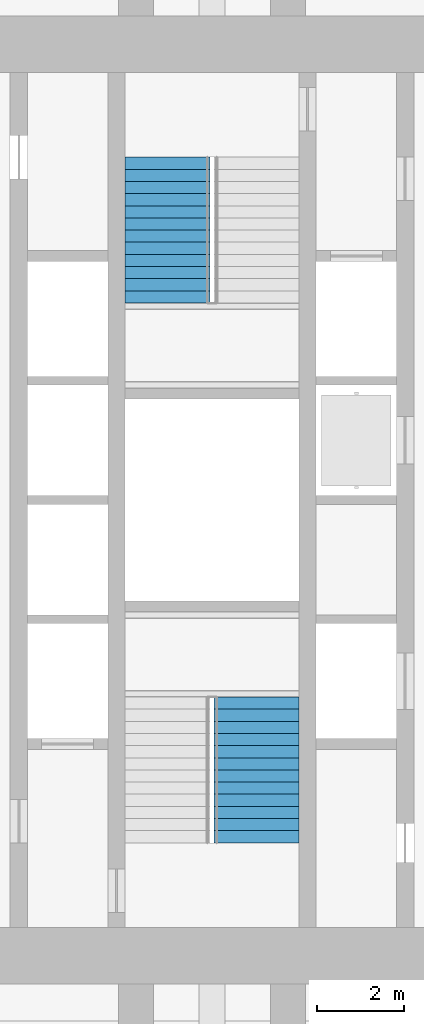
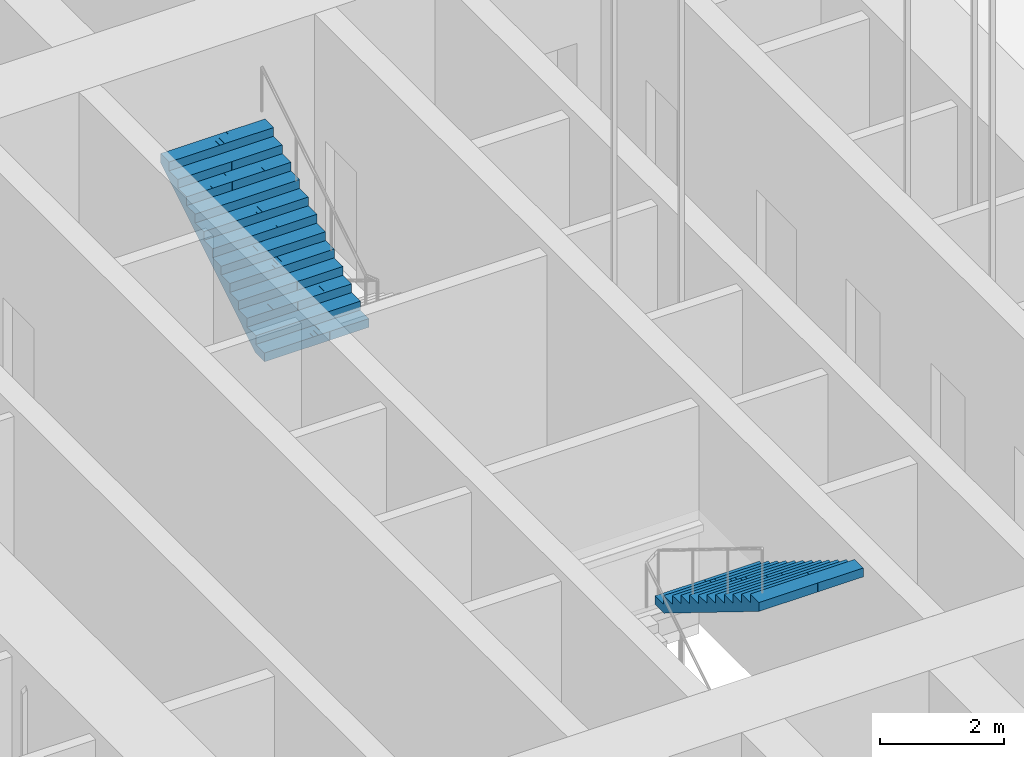
# One storey, part 17 of 34: 2 stair flights, 2 elements without a shape of their own.
"""IFC4 building model written with IfcOpenShell, lengths in metres."""

from ifc_helpers import new_model, si_unit, direction, frame, origin, place, context, subcontext, project, spatial, polyline, outline, extrude, material, type_object, element, aggregate, save


model = new_model("IFC4")

# Units and contexts
model_context = context("Model", 3, precision=1e-05, world=origin(), true_north=direction((0.0, 1.0)))
body_context = subcontext(model_context, "Body", "Model", "MODEL_VIEW")
ifc_project = project(units=[si_unit("LENGTHUNIT", "METRE"), si_unit("AREAUNIT", "SQUARE_METRE"), si_unit("VOLUMEUNIT", "CUBIC_METRE"), si_unit("PLANEANGLEUNIT", "RADIAN"), si_unit("MASSUNIT", "GRAM", prefix="KILO")], contexts=[model_context])

# Site, building, storey
site_placement = place(None, origin())
site = spatial("IfcSite", under=ifc_project, at=site_placement, CompositionType="ELEMENT")
building_placement = place(site_placement, origin())
building = spatial("IfcBuilding", under=site, at=building_placement, Name="Mizan Broadcast Tower", CompositionType="ELEMENT")
storey_placement = place(building_placement, frame((0.0, 0.0, 194.39990234375)))
storey = spatial("IfcBuildingStorey", under=building, at=storey_placement, Name="L45", CompositionType="ELEMENT", Elevation=194.39990234375)

# Stair, stair flight
ifc_material_1 = material(Name="Concrete C40/50", Category="concrete")
stair_type = type_object("IfcStairType", Name="EXIT STAIR", PredefinedType="HALF_TURN_STAIR", material=ifc_material_1)
stair_1_placement = place(storey_placement, origin())
stair_1 = element("IfcStair", 1, at=stair_1_placement, inside=storey, type_object=stair_type, Name="Stair A L45", PredefinedType="HALF_TURN_STAIR")
ifc_material_2 = material(Name="Concrete C40/50", Category="concrete")
stair_flight_type = type_object("IfcStairFlightType", Name="EXIT STAIR FLIGHT", PredefinedType="STRAIGHT", material=ifc_material_2)
stair_flight_1_placement = place(storey_placement, frame((1.02490234375, -4.5400390625, 2.25), z_axis=(0.0, 0.0, 1.0), x_axis=(0.0, -1.0, 0.0)))
stair_flight_1 = element("IfcStairFlight", 2, at=stair_flight_1_placement, type_object=stair_flight_type, Name="A flight 2", NumberOfRisers=13, NumberOfTreads=12, PredefinedType="STRAIGHT", RiserHeight=0.173076923, TreadLength=0.28, context=body_context, shape_type="SweptSolid", body=[
    extrude(outline(polyline([(0.0, 0.0), (0.0, 0.173095703125), (0.280029296875, 0.173095703125), (0.280029296875, 0.34619140625), (0.56005859375, 0.34619140625), (0.56005859375, 0.519287109375), (0.840087890625, 0.519287109375), (0.840087890625, 0.6923828125), (1.1201171875, 0.6923828125), (1.1201171875, 0.865478515625), (1.39990234375, 0.865478515625), (1.39990234375, 1.03857421875), (1.679931640625, 1.03857421875), (1.679931640625, 1.21142578125), (1.9599609375, 1.21142578125), (1.9599609375, 1.384521484375), (2.239990234375, 1.384521484375), (2.239990234375, 1.5576171875), (2.52001953125, 1.5576171875), (2.52001953125, 1.730712890625), (2.800048828125, 1.730712890625), (2.800048828125, 1.90380859375), (3.080078125, 1.90380859375), (3.080078125, 2.076904296875), (3.360107421875, 2.076904296875), (3.360107421875, 2.25), (3.360107421875, 1.900634765625), (0.28515625, 0.0), (0.0, 0.0)])), frame((0.0, 0.97509765625, 0.0), z_axis=(0.0, -1.0, 0.0), x_axis=(1.0, 0.0, 0.0)), (0.0, 0.0, 1.0), 0.4873046875),
    extrude(outline(polyline([(0.0, 0.0), (0.0, 0.173095703125), (0.280029296875, 0.173095703125), (0.280029296875, 0.34619140625), (0.56005859375, 0.34619140625), (0.56005859375, 0.519287109375), (0.840087890625, 0.519287109375), (0.840087890625, 0.6923828125), (1.1201171875, 0.6923828125), (1.1201171875, 0.865478515625), (1.39990234375, 0.865478515625), (1.39990234375, 1.03857421875), (1.679931640625, 1.03857421875), (1.679931640625, 1.21142578125), (1.9599609375, 1.21142578125), (1.9599609375, 1.384521484375), (2.239990234375, 1.384521484375), (2.239990234375, 1.5576171875), (2.52001953125, 1.5576171875), (2.52001953125, 1.730712890625), (2.800048828125, 1.730712890625), (2.800048828125, 1.90380859375), (3.080078125, 1.90380859375), (3.080078125, 2.076904296875), (3.360107421875, 2.076904296875), (3.360107421875, 2.25), (3.360107421875, 1.900634765625), (0.28515625, 0.0), (0.0, 0.0)])), frame((0.0, 0.4873046875, 0.0), z_axis=(0.0, -1.0, 0.0), x_axis=(1.0, 0.0, 0.0)), (0.0, 0.0, 1.0), 0.2431640625),
    extrude(outline(polyline([(0.0, 0.0), (0.0, 0.173095703125), (0.280029296875, 0.173095703125), (0.280029296875, 0.34619140625), (0.56005859375, 0.34619140625), (0.56005859375, 0.519287109375), (0.840087890625, 0.519287109375), (0.840087890625, 0.6923828125), (1.1201171875, 0.6923828125), (1.1201171875, 0.865478515625), (1.39990234375, 0.865478515625), (1.39990234375, 1.03857421875), (1.679931640625, 1.03857421875), (1.679931640625, 1.21142578125), (1.9599609375, 1.21142578125), (1.9599609375, 1.384521484375), (2.239990234375, 1.384521484375), (2.239990234375, 1.5576171875), (2.52001953125, 1.5576171875), (2.52001953125, 1.730712890625), (2.800048828125, 1.730712890625), (2.800048828125, 1.90380859375), (3.080078125, 1.90380859375), (3.080078125, 2.076904296875), (3.360107421875, 2.076904296875), (3.360107421875, 2.25), (3.360107421875, 1.900634765625), (0.28515625, 0.0), (0.0, 0.0)])), frame((0.0, 0.24365234375, 0.0), z_axis=(0.0, -1.0, 0.0), x_axis=(1.0, 0.0, 0.0)), (0.0, 0.0, 1.0), 0.121337890625),
    extrude(outline(polyline([(0.0, 0.0), (0.0, 0.173095703125), (0.280029296875, 0.173095703125), (0.280029296875, 0.34619140625), (0.56005859375, 0.34619140625), (0.56005859375, 0.519287109375), (0.840087890625, 0.519287109375), (0.840087890625, 0.6923828125), (1.1201171875, 0.6923828125), (1.1201171875, 0.865478515625), (1.39990234375, 0.865478515625), (1.39990234375, 1.03857421875), (1.679931640625, 1.03857421875), (1.679931640625, 1.21142578125), (1.9599609375, 1.21142578125), (1.9599609375, 1.384521484375), (2.239990234375, 1.384521484375), (2.239990234375, 1.5576171875), (2.52001953125, 1.5576171875), (2.52001953125, 1.730712890625), (2.800048828125, 1.730712890625), (2.800048828125, 1.90380859375), (3.080078125, 1.90380859375), (3.080078125, 2.076904296875), (3.360107421875, 2.076904296875), (3.360107421875, 2.25), (3.360107421875, 1.900634765625), (0.28515625, 0.0), (0.0, 0.0)])), frame((0.0, 0.121826171875, 0.0), z_axis=(0.0, -1.0, 0.0), x_axis=(1.0, 0.0, 0.0)), (0.0, 0.0, 1.0), 0.060546875),
    extrude(outline(polyline([(0.0, 0.0), (0.0, 0.173095703125), (0.280029296875, 0.173095703125), (0.280029296875, 0.34619140625), (0.56005859375, 0.34619140625), (0.56005859375, 0.519287109375), (0.840087890625, 0.519287109375), (0.840087890625, 0.6923828125), (1.1201171875, 0.6923828125), (1.1201171875, 0.865478515625), (1.39990234375, 0.865478515625), (1.39990234375, 1.03857421875), (1.679931640625, 1.03857421875), (1.679931640625, 1.21142578125), (1.9599609375, 1.21142578125), (1.9599609375, 1.384521484375), (2.239990234375, 1.384521484375), (2.239990234375, 1.5576171875), (2.52001953125, 1.5576171875), (2.52001953125, 1.730712890625), (2.800048828125, 1.730712890625), (2.800048828125, 1.90380859375), (3.080078125, 1.90380859375), (3.080078125, 2.076904296875), (3.360107421875, 2.076904296875), (3.360107421875, 2.25), (3.360107421875, 1.900634765625), (0.28515625, 0.0), (0.0, 0.0)])), frame((0.0, 0.060791015625, 0.0), z_axis=(0.0, -1.0, 0.0), x_axis=(1.0, 0.0, 0.0)), (0.0, 0.0, 1.0), 0.030029296875),
    extrude(outline(polyline([(0.0, 0.0), (0.0, 0.173095703125), (0.280029296875, 0.173095703125), (0.280029296875, 0.34619140625), (0.56005859375, 0.34619140625), (0.56005859375, 0.519287109375), (0.840087890625, 0.519287109375), (0.840087890625, 0.6923828125), (1.1201171875, 0.6923828125), (1.1201171875, 0.865478515625), (1.39990234375, 0.865478515625), (1.39990234375, 1.03857421875), (1.679931640625, 1.03857421875), (1.679931640625, 1.21142578125), (1.9599609375, 1.21142578125), (1.9599609375, 1.384521484375), (2.239990234375, 1.384521484375), (2.239990234375, 1.5576171875), (2.52001953125, 1.5576171875), (2.52001953125, 1.730712890625), (2.800048828125, 1.730712890625), (2.800048828125, 1.90380859375), (3.080078125, 1.90380859375), (3.080078125, 2.076904296875), (3.360107421875, 2.076904296875), (3.360107421875, 2.25), (3.360107421875, 1.900634765625), (0.28515625, 0.0), (0.0, 0.0)])), frame((0.0, 0.0302734375, 0.0), z_axis=(0.0, -1.0, 0.0), x_axis=(1.0, 0.0, 0.0)), (0.0, 0.0, 1.0), 0.060302734375),
    extrude(outline(polyline([(0.0, 0.0), (0.0, 0.173095703125), (0.280029296875, 0.173095703125), (0.280029296875, 0.34619140625), (0.56005859375, 0.34619140625), (0.56005859375, 0.519287109375), (0.840087890625, 0.519287109375), (0.840087890625, 0.6923828125), (1.1201171875, 0.6923828125), (1.1201171875, 0.865478515625), (1.39990234375, 0.865478515625), (1.39990234375, 1.03857421875), (1.679931640625, 1.03857421875), (1.679931640625, 1.21142578125), (1.9599609375, 1.21142578125), (1.9599609375, 1.384521484375), (2.239990234375, 1.384521484375), (2.239990234375, 1.5576171875), (2.52001953125, 1.5576171875), (2.52001953125, 1.730712890625), (2.800048828125, 1.730712890625), (2.800048828125, 1.90380859375), (3.080078125, 1.90380859375), (3.080078125, 2.076904296875), (3.360107421875, 2.076904296875), (3.360107421875, 2.25), (3.360107421875, 1.900634765625), (0.28515625, 0.0), (0.0, 0.0)])), frame((0.0, -0.030517578125, 0.0), z_axis=(0.0, -1.0, 0.0), x_axis=(1.0, 0.0, 0.0)), (0.0, 0.0, 1.0), 0.030029296875),
    extrude(outline(polyline([(0.0, 0.0), (0.0, 0.173095703125), (0.280029296875, 0.173095703125), (0.280029296875, 0.34619140625), (0.56005859375, 0.34619140625), (0.56005859375, 0.519287109375), (0.840087890625, 0.519287109375), (0.840087890625, 0.6923828125), (1.1201171875, 0.6923828125), (1.1201171875, 0.865478515625), (1.39990234375, 0.865478515625), (1.39990234375, 1.03857421875), (1.679931640625, 1.03857421875), (1.679931640625, 1.21142578125), (1.9599609375, 1.21142578125), (1.9599609375, 1.384521484375), (2.239990234375, 1.384521484375), (2.239990234375, 1.5576171875), (2.52001953125, 1.5576171875), (2.52001953125, 1.730712890625), (2.800048828125, 1.730712890625), (2.800048828125, 1.90380859375), (3.080078125, 1.90380859375), (3.080078125, 2.076904296875), (3.360107421875, 2.076904296875), (3.360107421875, 2.25), (3.360107421875, 1.900634765625), (0.28515625, 0.0), (0.0, 0.0)])), frame((0.0, -0.06103515625, 0.0), z_axis=(0.0, -1.0, 0.0), x_axis=(1.0, 0.0, 0.0)), (0.0, 0.0, 1.0), 0.060546875),
    extrude(outline(polyline([(0.0, 0.0), (0.0, 0.173095703125), (0.280029296875, 0.173095703125), (0.280029296875, 0.34619140625), (0.56005859375, 0.34619140625), (0.56005859375, 0.519287109375), (0.840087890625, 0.519287109375), (0.840087890625, 0.6923828125), (1.1201171875, 0.6923828125), (1.1201171875, 0.865478515625), (1.39990234375, 0.865478515625), (1.39990234375, 1.03857421875), (1.679931640625, 1.03857421875), (1.679931640625, 1.21142578125), (1.9599609375, 1.21142578125), (1.9599609375, 1.384521484375), (2.239990234375, 1.384521484375), (2.239990234375, 1.5576171875), (2.52001953125, 1.5576171875), (2.52001953125, 1.730712890625), (2.800048828125, 1.730712890625), (2.800048828125, 1.90380859375), (3.080078125, 1.90380859375), (3.080078125, 2.076904296875), (3.360107421875, 2.076904296875), (3.360107421875, 2.25), (3.360107421875, 1.900634765625), (0.28515625, 0.0), (0.0, 0.0)])), frame((0.0, -0.1220703125, 0.0), z_axis=(0.0, -1.0, 0.0), x_axis=(1.0, 0.0, 0.0)), (0.0, 0.0, 1.0), 0.121337890625),
    extrude(outline(polyline([(0.0, 0.0), (0.0, 0.173095703125), (0.280029296875, 0.173095703125), (0.280029296875, 0.34619140625), (0.56005859375, 0.34619140625), (0.56005859375, 0.519287109375), (0.840087890625, 0.519287109375), (0.840087890625, 0.6923828125), (1.1201171875, 0.6923828125), (1.1201171875, 0.865478515625), (1.39990234375, 0.865478515625), (1.39990234375, 1.03857421875), (1.679931640625, 1.03857421875), (1.679931640625, 1.21142578125), (1.9599609375, 1.21142578125), (1.9599609375, 1.384521484375), (2.239990234375, 1.384521484375), (2.239990234375, 1.5576171875), (2.52001953125, 1.5576171875), (2.52001953125, 1.730712890625), (2.800048828125, 1.730712890625), (2.800048828125, 1.90380859375), (3.080078125, 1.90380859375), (3.080078125, 2.076904296875), (3.360107421875, 2.076904296875), (3.360107421875, 2.25), (3.360107421875, 1.900634765625), (0.28515625, 0.0), (0.0, 0.0)])), frame((0.0, -0.243896484375, 0.0), z_axis=(0.0, -1.0, 0.0), x_axis=(1.0, 0.0, 0.0)), (0.0, 0.0, 1.0), 0.2431640625),
    extrude(outline(polyline([(0.0, 0.0), (0.0, 0.173095703125), (0.280029296875, 0.173095703125), (0.280029296875, 0.34619140625), (0.56005859375, 0.34619140625), (0.56005859375, 0.519287109375), (0.840087890625, 0.519287109375), (0.840087890625, 0.6923828125), (1.1201171875, 0.6923828125), (1.1201171875, 0.865478515625), (1.39990234375, 0.865478515625), (1.39990234375, 1.03857421875), (1.679931640625, 1.03857421875), (1.679931640625, 1.21142578125), (1.9599609375, 1.21142578125), (1.9599609375, 1.384521484375), (2.239990234375, 1.384521484375), (2.239990234375, 1.5576171875), (2.52001953125, 1.5576171875), (2.52001953125, 1.730712890625), (2.800048828125, 1.730712890625), (2.800048828125, 1.90380859375), (3.080078125, 1.90380859375), (3.080078125, 2.076904296875), (3.360107421875, 2.076904296875), (3.360107421875, 2.25), (3.360107421875, 1.900634765625), (0.28515625, 0.0), (0.0, 0.0)])), frame((0.0, -0.487548828125, 0.0), z_axis=(0.0, -1.0, 0.0), x_axis=(1.0, 0.0, 0.0)), (0.0, 0.0, 1.0), 0.4873046875),
])
aggregate(stair_1, [stair_flight_1])

stair_2_placement = place(storey_placement, origin())
stair_2 = element("IfcStair", 3, at=stair_2_placement, inside=storey, type_object=stair_type, Name="Stair B L45", PredefinedType="HALF_TURN_STAIR")
stair_flight_2_placement = place(storey_placement, frame((-1.02490234375, 4.5400390625, 2.25), z_axis=(0.0, 0.0, 1.0), x_axis=(0.0, 1.0, 0.0)))
stair_flight_2 = element("IfcStairFlight", 4, at=stair_flight_2_placement, type_object=stair_flight_type, Name="B flight 2", NumberOfRisers=13, NumberOfTreads=12, PredefinedType="STRAIGHT", RiserHeight=0.173076923, TreadLength=0.28, context=body_context, shape_type="SweptSolid", body=[
    extrude(outline(polyline([(0.0, 0.0), (0.0, 0.173095703125), (0.280029296875, 0.173095703125), (0.280029296875, 0.34619140625), (0.56005859375, 0.34619140625), (0.56005859375, 0.519287109375), (0.840087890625, 0.519287109375), (0.840087890625, 0.6923828125), (1.1201171875, 0.6923828125), (1.1201171875, 0.865478515625), (1.39990234375, 0.865478515625), (1.39990234375, 1.03857421875), (1.679931640625, 1.03857421875), (1.679931640625, 1.21142578125), (1.9599609375, 1.21142578125), (1.9599609375, 1.384521484375), (2.239990234375, 1.384521484375), (2.239990234375, 1.5576171875), (2.52001953125, 1.5576171875), (2.52001953125, 1.730712890625), (2.800048828125, 1.730712890625), (2.800048828125, 1.90380859375), (3.080078125, 1.90380859375), (3.080078125, 2.076904296875), (3.360107421875, 2.076904296875), (3.360107421875, 2.25), (3.360107421875, 1.900634765625), (0.28515625, 0.0), (0.0, 0.0)])), frame((0.0, 0.97509765625, 0.0), z_axis=(0.0, -1.0, 0.0), x_axis=(1.0, 0.0, 0.0)), (0.0, 0.0, 1.0), 0.4873046875),
    extrude(outline(polyline([(0.0, 0.0), (0.0, 0.173095703125), (0.280029296875, 0.173095703125), (0.280029296875, 0.34619140625), (0.56005859375, 0.34619140625), (0.56005859375, 0.519287109375), (0.840087890625, 0.519287109375), (0.840087890625, 0.6923828125), (1.1201171875, 0.6923828125), (1.1201171875, 0.865478515625), (1.39990234375, 0.865478515625), (1.39990234375, 1.03857421875), (1.679931640625, 1.03857421875), (1.679931640625, 1.21142578125), (1.9599609375, 1.21142578125), (1.9599609375, 1.384521484375), (2.239990234375, 1.384521484375), (2.239990234375, 1.5576171875), (2.52001953125, 1.5576171875), (2.52001953125, 1.730712890625), (2.800048828125, 1.730712890625), (2.800048828125, 1.90380859375), (3.080078125, 1.90380859375), (3.080078125, 2.076904296875), (3.360107421875, 2.076904296875), (3.360107421875, 2.25), (3.360107421875, 1.900634765625), (0.28515625, 0.0), (0.0, 0.0)])), frame((0.0, 0.4873046875, 0.0), z_axis=(0.0, -1.0, 0.0), x_axis=(1.0, 0.0, 0.0)), (0.0, 0.0, 1.0), 0.2431640625),
    extrude(outline(polyline([(0.0, 0.0), (0.0, 0.173095703125), (0.280029296875, 0.173095703125), (0.280029296875, 0.34619140625), (0.56005859375, 0.34619140625), (0.56005859375, 0.519287109375), (0.840087890625, 0.519287109375), (0.840087890625, 0.6923828125), (1.1201171875, 0.6923828125), (1.1201171875, 0.865478515625), (1.39990234375, 0.865478515625), (1.39990234375, 1.03857421875), (1.679931640625, 1.03857421875), (1.679931640625, 1.21142578125), (1.9599609375, 1.21142578125), (1.9599609375, 1.384521484375), (2.239990234375, 1.384521484375), (2.239990234375, 1.5576171875), (2.52001953125, 1.5576171875), (2.52001953125, 1.730712890625), (2.800048828125, 1.730712890625), (2.800048828125, 1.90380859375), (3.080078125, 1.90380859375), (3.080078125, 2.076904296875), (3.360107421875, 2.076904296875), (3.360107421875, 2.25), (3.360107421875, 1.900634765625), (0.28515625, 0.0), (0.0, 0.0)])), frame((0.0, 0.24365234375, 0.0), z_axis=(0.0, -1.0, 0.0), x_axis=(1.0, 0.0, 0.0)), (0.0, 0.0, 1.0), 0.121337890625),
    extrude(outline(polyline([(0.0, 0.0), (0.0, 0.173095703125), (0.280029296875, 0.173095703125), (0.280029296875, 0.34619140625), (0.56005859375, 0.34619140625), (0.56005859375, 0.519287109375), (0.840087890625, 0.519287109375), (0.840087890625, 0.6923828125), (1.1201171875, 0.6923828125), (1.1201171875, 0.865478515625), (1.39990234375, 0.865478515625), (1.39990234375, 1.03857421875), (1.679931640625, 1.03857421875), (1.679931640625, 1.21142578125), (1.9599609375, 1.21142578125), (1.9599609375, 1.384521484375), (2.239990234375, 1.384521484375), (2.239990234375, 1.5576171875), (2.52001953125, 1.5576171875), (2.52001953125, 1.730712890625), (2.800048828125, 1.730712890625), (2.800048828125, 1.90380859375), (3.080078125, 1.90380859375), (3.080078125, 2.076904296875), (3.360107421875, 2.076904296875), (3.360107421875, 2.25), (3.360107421875, 1.900634765625), (0.28515625, 0.0), (0.0, 0.0)])), frame((0.0, 0.121826171875, 0.0), z_axis=(0.0, -1.0, 0.0), x_axis=(1.0, 0.0, 0.0)), (0.0, 0.0, 1.0), 0.060546875),
    extrude(outline(polyline([(0.0, 0.0), (0.0, 0.173095703125), (0.280029296875, 0.173095703125), (0.280029296875, 0.34619140625), (0.56005859375, 0.34619140625), (0.56005859375, 0.519287109375), (0.840087890625, 0.519287109375), (0.840087890625, 0.6923828125), (1.1201171875, 0.6923828125), (1.1201171875, 0.865478515625), (1.39990234375, 0.865478515625), (1.39990234375, 1.03857421875), (1.679931640625, 1.03857421875), (1.679931640625, 1.21142578125), (1.9599609375, 1.21142578125), (1.9599609375, 1.384521484375), (2.239990234375, 1.384521484375), (2.239990234375, 1.5576171875), (2.52001953125, 1.5576171875), (2.52001953125, 1.730712890625), (2.800048828125, 1.730712890625), (2.800048828125, 1.90380859375), (3.080078125, 1.90380859375), (3.080078125, 2.076904296875), (3.360107421875, 2.076904296875), (3.360107421875, 2.25), (3.360107421875, 1.900634765625), (0.28515625, 0.0), (0.0, 0.0)])), frame((0.0, 0.060791015625, 0.0), z_axis=(0.0, -1.0, 0.0), x_axis=(1.0, 0.0, 0.0)), (0.0, 0.0, 1.0), 0.030029296875),
    extrude(outline(polyline([(0.0, 0.0), (0.0, 0.173095703125), (0.280029296875, 0.173095703125), (0.280029296875, 0.34619140625), (0.56005859375, 0.34619140625), (0.56005859375, 0.519287109375), (0.840087890625, 0.519287109375), (0.840087890625, 0.6923828125), (1.1201171875, 0.6923828125), (1.1201171875, 0.865478515625), (1.39990234375, 0.865478515625), (1.39990234375, 1.03857421875), (1.679931640625, 1.03857421875), (1.679931640625, 1.21142578125), (1.9599609375, 1.21142578125), (1.9599609375, 1.384521484375), (2.239990234375, 1.384521484375), (2.239990234375, 1.5576171875), (2.52001953125, 1.5576171875), (2.52001953125, 1.730712890625), (2.800048828125, 1.730712890625), (2.800048828125, 1.90380859375), (3.080078125, 1.90380859375), (3.080078125, 2.076904296875), (3.360107421875, 2.076904296875), (3.360107421875, 2.25), (3.360107421875, 1.900634765625), (0.28515625, 0.0), (0.0, 0.0)])), frame((0.0, 0.0302734375, 0.0), z_axis=(0.0, -1.0, 0.0), x_axis=(1.0, 0.0, 0.0)), (0.0, 0.0, 1.0), 0.060302734375),
    extrude(outline(polyline([(0.0, 0.0), (0.0, 0.173095703125), (0.280029296875, 0.173095703125), (0.280029296875, 0.34619140625), (0.56005859375, 0.34619140625), (0.56005859375, 0.519287109375), (0.840087890625, 0.519287109375), (0.840087890625, 0.6923828125), (1.1201171875, 0.6923828125), (1.1201171875, 0.865478515625), (1.39990234375, 0.865478515625), (1.39990234375, 1.03857421875), (1.679931640625, 1.03857421875), (1.679931640625, 1.21142578125), (1.9599609375, 1.21142578125), (1.9599609375, 1.384521484375), (2.239990234375, 1.384521484375), (2.239990234375, 1.5576171875), (2.52001953125, 1.5576171875), (2.52001953125, 1.730712890625), (2.800048828125, 1.730712890625), (2.800048828125, 1.90380859375), (3.080078125, 1.90380859375), (3.080078125, 2.076904296875), (3.360107421875, 2.076904296875), (3.360107421875, 2.25), (3.360107421875, 1.900634765625), (0.28515625, 0.0), (0.0, 0.0)])), frame((0.0, -0.030517578125, 0.0), z_axis=(0.0, -1.0, 0.0), x_axis=(1.0, 0.0, 0.0)), (0.0, 0.0, 1.0), 0.030029296875),
    extrude(outline(polyline([(0.0, 0.0), (0.0, 0.173095703125), (0.280029296875, 0.173095703125), (0.280029296875, 0.34619140625), (0.56005859375, 0.34619140625), (0.56005859375, 0.519287109375), (0.840087890625, 0.519287109375), (0.840087890625, 0.6923828125), (1.1201171875, 0.6923828125), (1.1201171875, 0.865478515625), (1.39990234375, 0.865478515625), (1.39990234375, 1.03857421875), (1.679931640625, 1.03857421875), (1.679931640625, 1.21142578125), (1.9599609375, 1.21142578125), (1.9599609375, 1.384521484375), (2.239990234375, 1.384521484375), (2.239990234375, 1.5576171875), (2.52001953125, 1.5576171875), (2.52001953125, 1.730712890625), (2.800048828125, 1.730712890625), (2.800048828125, 1.90380859375), (3.080078125, 1.90380859375), (3.080078125, 2.076904296875), (3.360107421875, 2.076904296875), (3.360107421875, 2.25), (3.360107421875, 1.900634765625), (0.28515625, 0.0), (0.0, 0.0)])), frame((0.0, -0.06103515625, 0.0), z_axis=(0.0, -1.0, 0.0), x_axis=(1.0, 0.0, 0.0)), (0.0, 0.0, 1.0), 0.060546875),
    extrude(outline(polyline([(0.0, 0.0), (0.0, 0.173095703125), (0.280029296875, 0.173095703125), (0.280029296875, 0.34619140625), (0.56005859375, 0.34619140625), (0.56005859375, 0.519287109375), (0.840087890625, 0.519287109375), (0.840087890625, 0.6923828125), (1.1201171875, 0.6923828125), (1.1201171875, 0.865478515625), (1.39990234375, 0.865478515625), (1.39990234375, 1.03857421875), (1.679931640625, 1.03857421875), (1.679931640625, 1.21142578125), (1.9599609375, 1.21142578125), (1.9599609375, 1.384521484375), (2.239990234375, 1.384521484375), (2.239990234375, 1.5576171875), (2.52001953125, 1.5576171875), (2.52001953125, 1.730712890625), (2.800048828125, 1.730712890625), (2.800048828125, 1.90380859375), (3.080078125, 1.90380859375), (3.080078125, 2.076904296875), (3.360107421875, 2.076904296875), (3.360107421875, 2.25), (3.360107421875, 1.900634765625), (0.28515625, 0.0), (0.0, 0.0)])), frame((0.0, -0.1220703125, 0.0), z_axis=(0.0, -1.0, 0.0), x_axis=(1.0, 0.0, 0.0)), (0.0, 0.0, 1.0), 0.121337890625),
    extrude(outline(polyline([(0.0, 0.0), (0.0, 0.173095703125), (0.280029296875, 0.173095703125), (0.280029296875, 0.34619140625), (0.56005859375, 0.34619140625), (0.56005859375, 0.519287109375), (0.840087890625, 0.519287109375), (0.840087890625, 0.6923828125), (1.1201171875, 0.6923828125), (1.1201171875, 0.865478515625), (1.39990234375, 0.865478515625), (1.39990234375, 1.03857421875), (1.679931640625, 1.03857421875), (1.679931640625, 1.21142578125), (1.9599609375, 1.21142578125), (1.9599609375, 1.384521484375), (2.239990234375, 1.384521484375), (2.239990234375, 1.5576171875), (2.52001953125, 1.5576171875), (2.52001953125, 1.730712890625), (2.800048828125, 1.730712890625), (2.800048828125, 1.90380859375), (3.080078125, 1.90380859375), (3.080078125, 2.076904296875), (3.360107421875, 2.076904296875), (3.360107421875, 2.25), (3.360107421875, 1.900634765625), (0.28515625, 0.0), (0.0, 0.0)])), frame((0.0, -0.243896484375, 0.0), z_axis=(0.0, -1.0, 0.0), x_axis=(1.0, 0.0, 0.0)), (0.0, 0.0, 1.0), 0.2431640625),
    extrude(outline(polyline([(0.0, 0.0), (0.0, 0.173095703125), (0.280029296875, 0.173095703125), (0.280029296875, 0.34619140625), (0.56005859375, 0.34619140625), (0.56005859375, 0.519287109375), (0.840087890625, 0.519287109375), (0.840087890625, 0.6923828125), (1.1201171875, 0.6923828125), (1.1201171875, 0.865478515625), (1.39990234375, 0.865478515625), (1.39990234375, 1.03857421875), (1.679931640625, 1.03857421875), (1.679931640625, 1.21142578125), (1.9599609375, 1.21142578125), (1.9599609375, 1.384521484375), (2.239990234375, 1.384521484375), (2.239990234375, 1.5576171875), (2.52001953125, 1.5576171875), (2.52001953125, 1.730712890625), (2.800048828125, 1.730712890625), (2.800048828125, 1.90380859375), (3.080078125, 1.90380859375), (3.080078125, 2.076904296875), (3.360107421875, 2.076904296875), (3.360107421875, 2.25), (3.360107421875, 1.900634765625), (0.28515625, 0.0), (0.0, 0.0)])), frame((0.0, -0.487548828125, 0.0), z_axis=(0.0, -1.0, 0.0), x_axis=(1.0, 0.0, 0.0)), (0.0, 0.0, 1.0), 0.4873046875),
])
aggregate(stair_2, [stair_flight_2])

save(model, "model.ifc")
